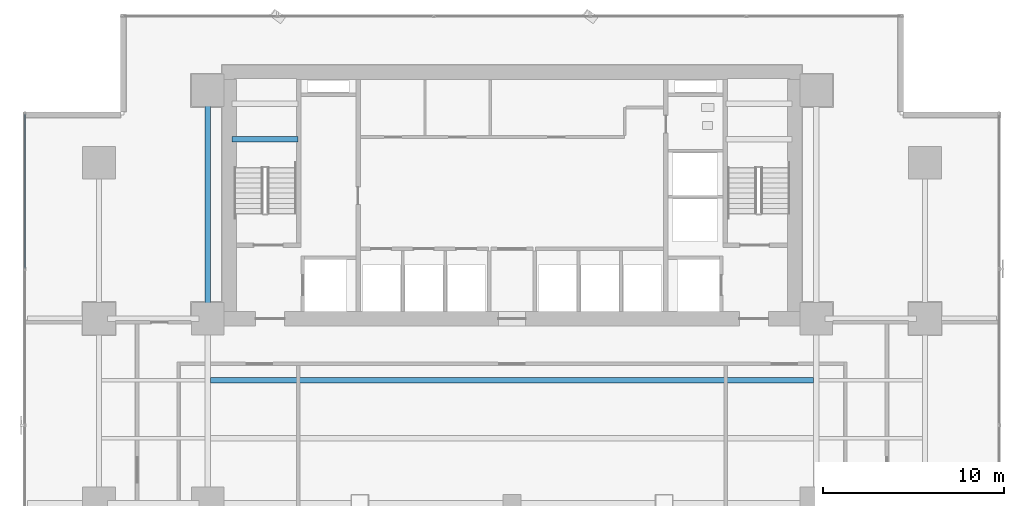
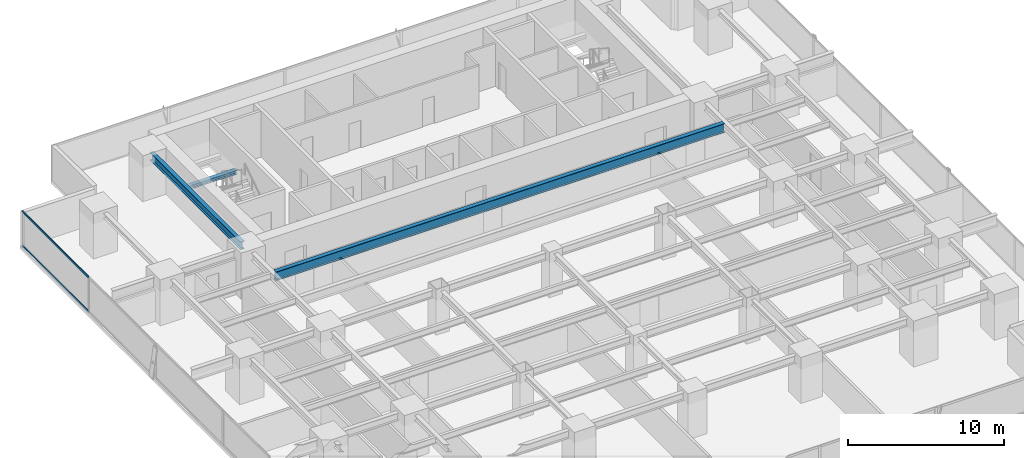
# One storey, part 17 of 33: 3 beams, 2 members, 1 element without a shape of its own.
"""IFC4 building model written with IfcOpenShell, lengths in metres."""

from ifc_helpers import new_model, si_unit, direction, frame, origin, origin_2d, place, context, subcontext, project, spatial, hollow_rectangle, i_section, extrude, source, transform, mapped, material, layer, layer_set, material_profile, profile_set, type_object, element, aggregate, save


model = new_model("IFC4")

# Units and contexts
model_context = context("Model", 3, precision=1e-05, world=origin(), true_north=direction((0.0, 1.0)))
body_context = subcontext(model_context, "Body", "Model", "MODEL_VIEW")
ifc_project = project(units=[si_unit("LENGTHUNIT", "METRE"), si_unit("AREAUNIT", "SQUARE_METRE"), si_unit("VOLUMEUNIT", "CUBIC_METRE"), si_unit("PLANEANGLEUNIT", "RADIAN"), si_unit("MASSUNIT", "GRAM", prefix="KILO")], contexts=[model_context])

# Site, building, storey
site_placement = place(None, origin())
site = spatial("IfcSite", under=ifc_project, at=site_placement, CompositionType="ELEMENT")
building_placement = place(site_placement, origin())
building = spatial("IfcBuilding", under=site, at=building_placement, Name="Sumidabori Civic Tower", CompositionType="ELEMENT")
storey_placement = place(building_placement, frame((0.0, 0.0, 63.199951171875)))
storey = spatial("IfcBuildingStorey", under=building, at=storey_placement, Name="L16", CompositionType="ELEMENT", Elevation=63.199951171875)

# Beams
ifc_material_1 = material(Name="Steel SN490", Category="steel")
ifc_material_profile_1 = material_profile(ifc_material_1, i_section(OverallWidth=0.300048828125, OverallDepth=0.300048828125, WebThickness=0.010986328125, FlangeThickness=0.01904296875, at=origin_2d()), Name="HE 300 B")
ifc_profile_set_1 = profile_set([ifc_material_profile_1], Name="Steel SN490")
beam_type_1 = type_object("IfcBeamType", Name="BM-LDG-300", PredefinedType="BEAM", material=ifc_profile_set_1)
shared_shape_1 = source(origin(), body_context, "Body", "SweptSolid", [
    extrude(i_section(OverallWidth=0.300048828125, OverallDepth=0.300048828125, WebThickness=0.010986328125, FlangeThickness=0.01904296875, at=origin_2d()), origin(), (0.0, 0.0, 1.0), 3.64990234375),
])
beam_1_placement = place(storey_placement, frame((-15.449951171875, 20.09765625, 1.449951171875), z_axis=(1.0, 0.0, 0.0), x_axis=(0.0, 1.0, 0.0)))
element("IfcBeam", 1, at=beam_1_placement, inside=storey, type_object=beam_type_1, Name="Stair ST-1 Landing Support Beam L16-1A", PredefinedType="BEAM", context=body_context, shape_type="MappedRepresentation", body=[
    mapped(shared_shape_1, transform((0.0, 0.0, 0.0), x_axis=(1.0, 0.0, 0.0), y_axis=(0.0, 1.0, 0.0), z_axis=(0.0, 0.0, 1.0), scale=1.0)),
])
ifc_material_profile_2 = material_profile(ifc_material_1, i_section(OverallWidth=0.300048828125, OverallDepth=0.60009765625, WebThickness=0.015380859375, FlangeThickness=0.030029296875, at=origin_2d()), Name="HE 600 B")
ifc_profile_set_2 = profile_set([ifc_material_profile_2], Name="Steel SN490")
beam_type_2 = type_object("IfcBeamType", Name="BM-GIRD-600", PredefinedType="BEAM", material=ifc_profile_set_2)
shared_shape_2 = source(origin(), body_context, "Body", "SweptSolid", [
    extrude(i_section(OverallWidth=0.300048828125, OverallDepth=0.60009765625, WebThickness=0.015380859375, FlangeThickness=0.030029296875, at=origin_2d()), origin(), (0.0, 0.0, 1.0), 11.64013671875),
])
beam_2_placement = place(storey_placement, frame((-16.800048828125, 10.679931640625, 3.06005859375), z_axis=(0.0, 1.0, 0.0), x_axis=(-1.0, 0.0, 0.0)))
element("IfcBeam", 2, at=beam_2_placement, inside=storey, type_object=beam_type_2, Name="Primary Girder L16 GY-28", PredefinedType="BEAM", context=body_context, shape_type="MappedRepresentation", body=[
    mapped(shared_shape_2, transform((0.0, 0.0, 0.0), x_axis=(1.0, 0.0, 0.0), y_axis=(0.0, 1.0, 0.0), z_axis=(0.0, 0.0, 1.0), scale=1.0)),
])
ifc_material_profile_3 = material_profile(ifc_material_1, i_section(OverallWidth=0.300048828125, OverallDepth=0.699951171875, WebThickness=0.01708984375, FlangeThickness=0.031982421875, at=origin_2d()), Name="HE 700 B")
ifc_profile_set_3 = profile_set([ifc_material_profile_3], Name="Steel SN490")
beam_type_3 = type_object("IfcBeamType", Name="BM-GIRD-700", PredefinedType="BEAM", material=ifc_profile_set_3)
shared_shape_3 = source(origin(), body_context, "Body", "SweptSolid", [
    extrude(i_section(OverallWidth=0.300048828125, OverallDepth=0.699951171875, WebThickness=0.01708984375, FlangeThickness=0.031982421875, at=origin_2d()), origin(), (0.0, 0.0, 1.0), 33.2998046875),
])
beam_3_placement = place(storey_placement, frame((-16.64990234375, 6.800048828125, 3.010009765625), z_axis=(1.0, 0.0, 0.0), x_axis=(0.0, 1.0, 0.0)))
element("IfcBeam", 3, at=beam_3_placement, inside=storey, type_object=beam_type_3, Name="North Bay Floor Beam L16 JSTN-60", PredefinedType="BEAM", context=body_context, shape_type="MappedRepresentation", body=[
    mapped(shared_shape_3, transform((0.0, 0.0, 0.0), x_axis=(1.0, 0.0, 0.0), y_axis=(0.0, 1.0, 0.0), z_axis=(0.0, 0.0, 1.0), scale=1.0)),
])

# Curtain wall, members
ifc_material_2 = material(Name="Anodised Bronze Aluminium AW-6063-T6", Category="aluminium")
ifc_layer = layer(ifc_material_2, 0.179931640625, Name="Anodised Bronze Aluminium AW-6063-T6")
ifc_layer_set = layer_set([ifc_layer], Name="Anodised Bronze Aluminium AW-6063-T6")
curtain_wall_type = type_object("IfcCurtainWallType", Name="CW-SYS-2", PredefinedType="NOTDEFINED", material=ifc_layer_set)
curtain_wall_placement = place(storey_placement, origin())
curtain_wall = element("IfcCurtainWall", 4, at=curtain_wall_placement, inside=storey, type_object=curtain_wall_type, Name="Curtain Wall CW:L16:R10", PredefinedType="NOTDEFINED")
ifc_material_profile_4 = material_profile(ifc_material_2, hollow_rectangle(XDim=0.06494140625, YDim=0.14990234375, WallThickness=0.0048828125, at=origin_2d()), Name="ALU TRANSOM 150x65")
ifc_profile_set_4 = profile_set([ifc_material_profile_4], Name="Anodised Bronze Aluminium AW-6063-T6")
member_type = type_object("IfcMemberType", Name="CW-TRN-150", PredefinedType="USERDEFINED", material=ifc_profile_set_4)
shared_shape_4 = source(origin(), body_context, "Body", "SweptSolid", [
    extrude(hollow_rectangle(XDim=0.06494140625, YDim=0.14990234375, WallThickness=0.0048828125, at=origin_2d()), origin(), (0.0, 0.0, 1.0), 8.52294921875),
])
member_1_placement = place(storey_placement, frame((-26.8798828125, 21.5, 0.032470703125), z_axis=(0.0, -1.0, 0.0), x_axis=(1.0, 0.0, 0.0)))
member_1 = element("IfcMember", 5, at=member_1_placement, type_object=member_type, Name="CW-2 transom 1.1", ObjectType="TRANSOM", PredefinedType="USERDEFINED", context=body_context, shape_type="MappedRepresentation", body=[
    mapped(shared_shape_4, transform((0.0, 0.0, 0.0), x_axis=(1.0, 0.0, 0.0), y_axis=(0.0, 1.0, 0.0), z_axis=(0.0, 0.0, 1.0), scale=1.0)),
])
member_2_placement = place(storey_placement, frame((-26.8798828125, 21.5, 2.70751953125), z_axis=(0.0, -1.0, 0.0), x_axis=(1.0, 0.0, 0.0)))
member_2 = element("IfcMember", 6, at=member_2_placement, type_object=member_type, Name="CW-2 transom 1.2", ObjectType="TRANSOM", PredefinedType="USERDEFINED", context=body_context, shape_type="MappedRepresentation", body=[
    mapped(shared_shape_4, transform((0.0, 0.0, 0.0), x_axis=(1.0, 0.0, 0.0), y_axis=(0.0, 1.0, 0.0), z_axis=(0.0, 0.0, 1.0), scale=1.0)),
])
aggregate(curtain_wall, [member_1, member_2])

save(model, "model.ifc")
